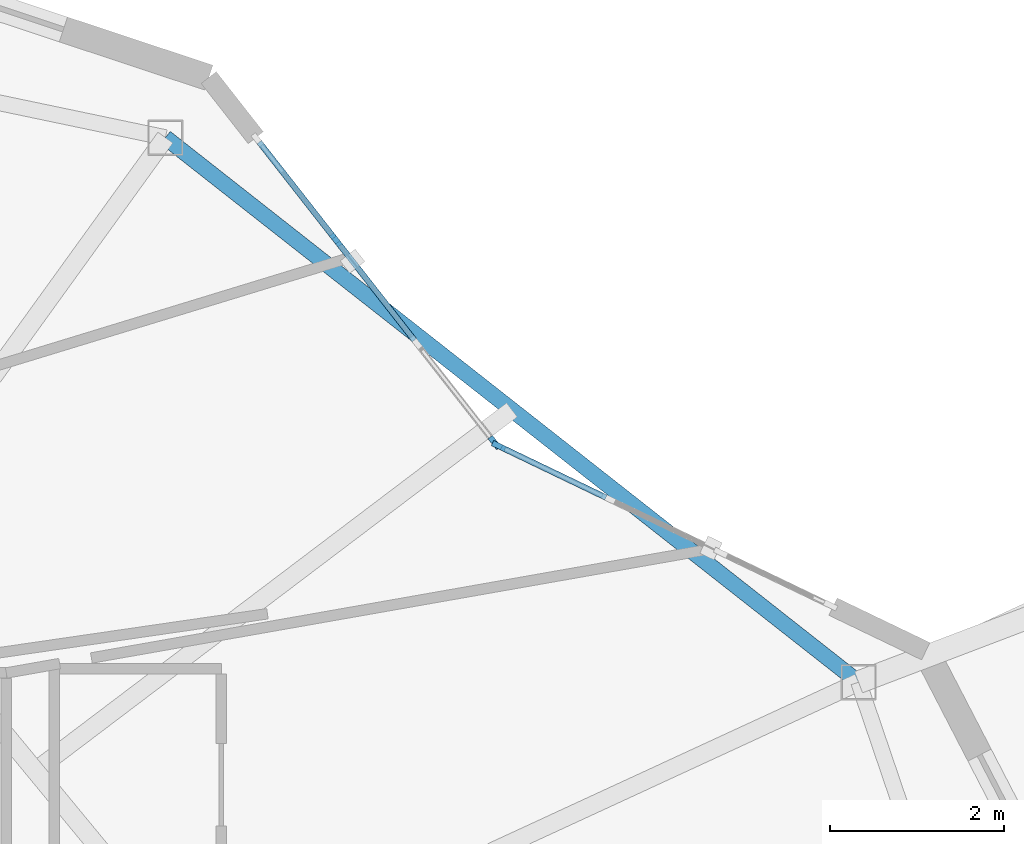
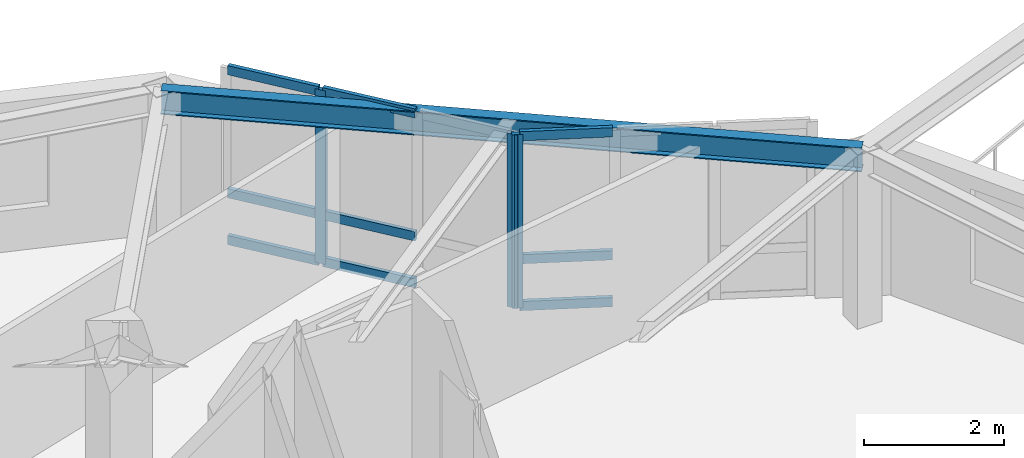
# One storey, part 5 of 14: 12 members, 1 beam, 2 elements without a shape of their own.
"""IFC4 building model written with IfcOpenShell, lengths in metres."""

import ifcopenshell
import ifcopenshell.guid

model = None  # the IFC model being written
_history = None  # IfcOwnerHistory: only IFC2X3 demands one
_inside = {}  # id of a spatial element -> (the spatial element, [elements in it])
_under = {}  # id of a project, library or spatial element -> (it, [spatial elements below it])
_declared = {}  # id of a project -> (the project, [libraries it declares])
_typed = {}  # id of a type object -> (the type object, [elements of that type])
_made_of = {}  # id of a material, layer set ... -> (it, [elements and type objects made of it])


def new_model(schema):
    """Start an empty IFC model of exactly this schema.

    Asked for "IFC4X3", IfcOpenShell would pick the latest addendum, in which some entities
    have other attributes; the version numbers below select the first issue.
    IFC2X3 requires an IfcOwnerHistory on every rooted entity: one is made here for all.
    """
    global model, _history
    if schema == "IFC4X3":
        model = ifcopenshell.file(schema_version=(4, 3, 0, 0))
    else:
        model = ifcopenshell.file(schema=schema)
    _inside.clear()
    _under.clear()
    _declared.clear()
    _typed.clear()
    _made_of.clear()
    _history = None
    if model.schema == "IFC2X3":
        org = make("IfcOrganization", Name="unknown")
        user = make(
            "IfcPersonAndOrganization",
            ThePerson=make("IfcPerson", FamilyName="unknown"),
            TheOrganization=org,
        )
        app = make(
            "IfcApplication",
            ApplicationDeveloper=org,
            Version="unknown",
            ApplicationFullName="unknown",
            ApplicationIdentifier="unknown",
        )
        _history = make(
            "IfcOwnerHistory",
            OwningUser=user,
            OwningApplication=app,
            ChangeAction="ADDED",
            CreationDate=0,
        )
    return model


def make(cls, **values):
    """One entity of the class cls with the attributes given. An attribute that is None is left unset."""
    return model.create_entity(
        cls, **{name: value for name, value in values.items() if value is not None}
    )


def rooted(cls, **values):
    """An entity with a GlobalId (a new one), such as an element, a storey or a relation."""
    return make(cls, GlobalId=ifcopenshell.guid.new(), OwnerHistory=_history, **values)


def si_unit(unit_type, name, prefix=None):
    """IfcSIUnit, for example si_unit("LENGTHUNIT", "METRE", prefix="MILLI")."""
    return make("IfcSIUnit", UnitType=unit_type, Prefix=prefix, Name=name)


def assignment(units):
    """IfcUnitAssignment: the units of a project."""
    return None if units is None else make("IfcUnitAssignment", Units=units)


def point(xyz):
    """IfcCartesianPoint."""
    return None if xyz is None else make("IfcCartesianPoint", Coordinates=xyz)


def direction(xyz):
    """IfcDirection."""
    return None if xyz is None else make("IfcDirection", DirectionRatios=xyz)


def frame(location, z_axis=None, x_axis=None):
    """IfcAxis2Placement3D, a coordinate frame: its origin and axes. An axis left out is left unset."""
    return make(
        "IfcAxis2Placement3D",
        Location=point(location),
        Axis=direction(z_axis),
        RefDirection=direction(x_axis),
    )


def frame_2d(location, x_axis=None):
    """IfcAxis2Placement2D, a coordinate frame in the plane: its origin and x axis."""
    return make(
        "IfcAxis2Placement2D", Location=point(location), RefDirection=direction(x_axis)
    )


def origin():
    """The frame at (0, 0, 0) with its axes left unset."""
    return frame((0.0, 0.0, 0.0))


def origin_2d():
    """The frame at (0, 0) in the plane with its x axis left unset."""
    return frame_2d((0.0, 0.0))


def place(relative_to, where):
    """IfcLocalPlacement: puts the frame where relative to a parent placement (None: the world)."""
    return make(
        "IfcLocalPlacement", PlacementRelTo=relative_to, RelativePlacement=where
    )


def context(
    kind, dimensions, precision=None, world=None, true_north=None, identifier=None
):
    """IfcGeometricRepresentationContext, for example the 3D "Model" context."""
    return make(
        "IfcGeometricRepresentationContext",
        ContextIdentifier=identifier,
        ContextType=kind,
        CoordinateSpaceDimension=dimensions,
        Precision=precision,
        WorldCoordinateSystem=world,
        TrueNorth=true_north,
    )


def subcontext(parent, identifier, kind, view, scale=None):
    """IfcGeometricRepresentationSubContext, for example "Body" below "Model"."""
    return make(
        "IfcGeometricRepresentationSubContext",
        ContextIdentifier=identifier,
        ContextType=kind,
        ParentContext=parent,
        TargetScale=scale,
        TargetView=view,
    )


def project(units=None, contexts=None):
    """IfcProject with its units and contexts."""
    return rooted(
        "IfcProject",
        Name="project",
        RepresentationContexts=contexts,
        UnitsInContext=assignment(units),
    )


def spatial(cls, under=None, at=None, **own):
    """A site, building, storey or space (cls), placed at a placement, below another one or the project."""
    s = rooted(cls, ObjectPlacement=at, **own)
    if under is not None:
        _under.setdefault(under.id(), (under, []))[1].append(s)
    return s


def profile(cls, at=None, kind="AREA", **sizes):
    """A parametric profile (cls). Its sizes go by their IFC names, for example OverallWidth=200.0."""
    return make(cls, ProfileType=kind, Position=at, **sizes)


def rectangle(**sizes):
    """IfcRectangleProfileDef."""
    return profile("IfcRectangleProfileDef", **sizes)


def i_section(**sizes):
    """IfcIShapeProfileDef."""
    return profile("IfcIShapeProfileDef", **sizes)


def extrude(swept, where, along, depth):
    """IfcExtrudedAreaSolid: the profile swept, set in the frame where, extruded along a direction by depth."""
    return make(
        "IfcExtrudedAreaSolid",
        SweptArea=swept,
        Position=where,
        ExtrudedDirection=direction(along),
        Depth=depth,
    )


def shape(context_of_items, identifier, shape_type, items):
    """IfcShapeRepresentation: the items that make up one representation, for example the "Body"."""
    return make(
        "IfcShapeRepresentation",
        ContextOfItems=context_of_items,
        RepresentationIdentifier=identifier,
        RepresentationType=shape_type,
        Items=items,
    )


def material(Name=None, Category=None):
    """IfcMaterial."""
    return make("IfcMaterial", Name=Name, Category=Category)


def layer(
    of_material, thickness, ventilated=None, Name=None, Category=None, Priority=None
):
    """IfcMaterialLayer: one layer of a wall or slab, of a material (None: an air gap)."""
    return make(
        "IfcMaterialLayer",
        Material=of_material,
        LayerThickness=thickness,
        IsVentilated=ventilated,
        Name=Name,
        Category=Category,
        Priority=Priority,
    )


def layer_set(layers, Name=None):
    """IfcMaterialLayerSet."""
    return make("IfcMaterialLayerSet", MaterialLayers=layers, LayerSetName=Name)


def material_profile(
    of_material, cross_section, Name=None, Category=None, Priority=None
):
    """IfcMaterialProfile: a cross section and its material."""
    return make(
        "IfcMaterialProfile",
        Name=Name,
        Material=of_material,
        Profile=cross_section,
        Priority=Priority,
        Category=Category,
    )


def profile_set(profiles, Name=None, composite=None):
    """IfcMaterialProfileSet."""
    return make(
        "IfcMaterialProfileSet",
        Name=Name,
        MaterialProfiles=profiles,
        CompositeProfile=composite,
    )


def made_of(thing, what):
    """Note that an element or type object is made of a material, layer set ...; save() writes the relation."""
    if what is not None:
        _made_of.setdefault(what.id(), (what, []))[1].append(thing)
    return thing


def type_object(cls, material=None, **own):
    """A type object (cls), such as IfcWallType, which elements share."""
    return made_of(rooted(cls, **own), material)


def element(
    cls,
    number,
    at=None,
    inside=None,
    cuts=None,
    type_object=None,
    material=None,
    context=None,
    identifier="Body",
    shape_type=None,
    held_by="IfcProductDefinitionShape",
    body=None,
    shapes=None,
    **own,
):
    """One element of the class cls, such as IfcWall. Its Tag is "e" and its number.

    at: its placement. inside: the storey or other place that contains it. cuts: it is an
    opening in that element (IfcRelVoidsElement). A single representation is given by context,
    identifier, shape_type and body (its items); several are given by shapes. held_by: the class
    of the entity that holds the representations. save() writes the other relations.
    """
    e = rooted(cls, Tag="e%d" % number, ObjectPlacement=at, **own)
    if body is not None:
        shapes = [shape(context, identifier, shape_type, body)]
    if shapes is not None:
        e.Representation = make(held_by, Representations=shapes)
    if inside is not None:
        _inside.setdefault(inside.id(), (inside, []))[1].append(e)
    if cuts is not None:
        rooted(
            "IfcRelVoidsElement", RelatingBuildingElement=cuts, RelatedOpeningElement=e
        )
    if type_object is not None:
        _typed.setdefault(type_object.id(), (type_object, []))[1].append(e)
    return made_of(e, material)


def aggregate(whole, parts):
    """IfcRelAggregates: a whole, such as a stair, and the parts it consists of."""
    return rooted("IfcRelAggregates", RelatingObject=whole, RelatedObjects=parts)


def save(model, path):
    """Write the relations noted so far, then the file.

    IfcRelAggregates (storeys below a building ...), IfcRelContainedInSpatialStructure (elements
    in a storey), IfcRelDefinesByType, IfcRelAssociatesMaterial and IfcRelDeclares: one each for
    every whole, place, type object, material and project.
    """
    for whole, parts in _under.values():
        aggregate(whole, parts)
    for where, things in _inside.values():
        rooted(
            "IfcRelContainedInSpatialStructure",
            RelatedElements=things,
            RelatingStructure=where,
        )
    for kind, things in _typed.values():
        rooted("IfcRelDefinesByType", RelatedObjects=things, RelatingType=kind)
    for what, things in _made_of.values():
        rooted("IfcRelAssociatesMaterial", RelatedObjects=things, RelatingMaterial=what)
    for by, libraries in _declared.values():
        rooted("IfcRelDeclares", RelatingContext=by, RelatedDefinitions=libraries)
    model.write(path)


model = new_model("IFC4")

# Units and contexts
model_context = context("Model", 3, precision=1e-05, world=origin(), true_north=direction((0.0, 1.0)))
body_context = subcontext(model_context, "Body", "Model", "MODEL_VIEW")
ifc_project = project(units=[si_unit("LENGTHUNIT", "METRE"), si_unit("AREAUNIT", "SQUARE_METRE"), si_unit("VOLUMEUNIT", "CUBIC_METRE"), si_unit("PLANEANGLEUNIT", "RADIAN"), si_unit("MASSUNIT", "GRAM", prefix="KILO")], contexts=[model_context])

# Site, building, storey
site_placement = place(None, origin())
site = spatial("IfcSite", under=ifc_project, at=site_placement, CompositionType="ELEMENT")
building_placement = place(site_placement, origin())
building = spatial("IfcBuilding", under=site, at=building_placement, Name="Kolvaren Gate Tower and Convention Centre", CompositionType="ELEMENT")
storey_placement = place(building_placement, frame((0.0, 0.0, 239.300048828125)))
storey = spatial("IfcBuildingStorey", under=building, at=storey_placement, Name="L64", CompositionType="ELEMENT", Elevation=239.300048828125)

# Curtain wall, member
ifc_material_1 = material(Name="Anodized Architectural Aluminium Alloy 6063-T6", Category="aluminium")
ifc_layer = layer(ifc_material_1, 0.159912109375)
ifc_layer_set = layer_set([ifc_layer], Name="Anodized Architectural Aluminium Alloy 6063-T6")
curtain_wall_type = type_object("IfcCurtainWallType", Name="CW-RES-UNIT", PredefinedType="NOTDEFINED", material=ifc_layer_set)
curtain_wall_1_placement = place(storey_placement, origin())
curtain_wall_1 = element("IfcCurtainWall", 1, at=curtain_wall_1_placement, inside=storey, type_object=curtain_wall_type, Name="Tower L64 Unitised Curtain Wall CW-RES-UNIT Bay 02", PredefinedType="NOTDEFINED")
ifc_material_profile_1 = material_profile(ifc_material_1, rectangle(XDim=0.06494140625, YDim=0.159912109375, at=origin_2d()), Name="CW-MEM-MUL-160")
ifc_profile_set_1 = profile_set([ifc_material_profile_1], Name="Anodized Architectural Aluminium Alloy 6063-T6")
member_type_1 = type_object("IfcMemberType", Name="CW-MEM-MUL-160", PredefinedType="MULLION", material=ifc_profile_set_1)
member_1_placement = place(storey_placement, frame((44.70654296875, 38.356201171875, 0.0), z_axis=(0.0, 0.0, 1.0), x_axis=(0.4330855213, 0.901352833934, 0.0)))
member_1 = element("IfcMember", 2, at=member_1_placement, type_object=member_type_1, Name="CW-04 mullion 1", PredefinedType="MULLION", context=body_context, shape_type="SweptSolid", body=[
    extrude(rectangle(XDim=0.06494140625, YDim=0.159912109375, at=origin_2d()), origin(), (0.0, 0.0, 1.0), 3.030029296875),
])

# Curtain wall, members
curtain_wall_2_placement = place(storey_placement, origin())
curtain_wall_2 = element("IfcCurtainWall", 3, at=curtain_wall_2_placement, inside=storey, type_object=curtain_wall_type, Name="Tower L64 Unitised Curtain Wall CW-RES-UNIT Bay 03", PredefinedType="NOTDEFINED")
member_2_placement = place(storey_placement, frame((42.835693359375, 40.72265625, 0.0), z_axis=(0.0, 0.0, 1.0), x_axis=(0.787402801606, 0.616438827479, 0.0)))
member_2 = element("IfcMember", 4, at=member_2_placement, type_object=member_type_1, Name="CW-04 mullion 2", PredefinedType="MULLION", context=body_context, shape_type="SweptSolid", body=[
    extrude(rectangle(XDim=0.06494140625, YDim=0.159912109375, at=origin_2d()), origin(), (0.0, 0.0, 1.0), 3.030029296875),
])
member_3_placement = place(storey_placement, frame((44.6572265625, 38.39599609375, 0.0), z_axis=(0.0, 0.0, 1.0), x_axis=(0.787402801606, 0.616438827479, 0.0)))
member_3 = element("IfcMember", 5, at=member_3_placement, type_object=member_type_1, Name="CW-04 mullion 4", PredefinedType="MULLION", context=body_context, shape_type="SweptSolid", body=[
    extrude(rectangle(XDim=0.06494140625, YDim=0.159912109375, at=origin_2d()), origin(), (0.0, 0.0, 1.0), 3.030029296875),
])

# Member
ifc_material_profile_2 = material_profile(ifc_material_1, rectangle(XDim=0.06494140625, YDim=0.159912109375, at=origin_2d()), Name="CW-MEM-TRN-160")
ifc_profile_set_2 = profile_set([ifc_material_profile_2], Name="Anodized Architectural Aluminium Alloy 6063-T6")
member_type_2 = type_object("IfcMemberType", Name="CW-MEM-TRN-160", PredefinedType="USERDEFINED", material=ifc_profile_set_2)
member_4_placement = place(storey_placement, frame((44.73583984375, 38.342041015625, 0.032470703125), z_axis=(0.901420149121, -0.432945394661, 0.0), x_axis=(0.432945394661, 0.901420149121, 0.0)))
member_4 = element("IfcMember", 6, at=member_4_placement, type_object=member_type_2, Name="CW-04 transom 1.1", ObjectType="TRANSOM", PredefinedType="USERDEFINED", context=body_context, shape_type="SweptSolid", body=[
    extrude(rectangle(XDim=0.06494140625, YDim=0.159912109375, at=origin_2d()), origin(), (0.0, 0.0, 1.0), 1.3330078125),
])

member_5_placement = place(storey_placement, frame((44.73583984375, 38.342041015625, 0.849853515625), z_axis=(0.901420149121, -0.432945394661, 0.0), x_axis=(0.432945394661, 0.901420149121, 0.0)))
member_5 = element("IfcMember", 7, at=member_5_placement, type_object=member_type_2, Name="CW-04 transom 1.2", ObjectType="TRANSOM", PredefinedType="USERDEFINED", context=body_context, shape_type="SweptSolid", body=[
    extrude(rectangle(XDim=0.06494140625, YDim=0.159912109375, at=origin_2d()), origin(), (0.0, 0.0, 1.0), 1.3330078125),
])

member_6_placement = place(storey_placement, frame((44.73583984375, 38.342041015625, 2.99755859375), z_axis=(0.901420149121, -0.432945394661, 0.0), x_axis=(0.432945394661, 0.901420149121, 0.0)))
member_6 = element("IfcMember", 8, at=member_6_placement, type_object=member_type_2, Name="CW-04 transom 1.3", ObjectType="TRANSOM", PredefinedType="USERDEFINED", context=body_context, shape_type="SweptSolid", body=[
    extrude(rectangle(XDim=0.06494140625, YDim=0.159912109375, at=origin_2d()), origin(), (0.0, 0.0, 1.0), 1.3330078125),
])

aggregate(curtain_wall_1, [member_1, member_4, member_5, member_6])

member_7_placement = place(storey_placement, frame((41.955078125, 41.847412109375, 0.032470703125), z_axis=(0.616407273095, -0.787427503758, 0.0), x_axis=(0.787427503758, 0.616407273095, 0.0)))
member_7 = element("IfcMember", 9, at=member_7_placement, type_object=member_type_2, Name="CW-04 transom 1.1", ObjectType="TRANSOM", PredefinedType="USERDEFINED", context=body_context, shape_type="SweptSolid", body=[
    extrude(rectangle(XDim=0.06494140625, YDim=0.159912109375, at=origin_2d()), origin(), (0.0, 0.0, 1.0), 1.396240234375),
])

member_8_placement = place(storey_placement, frame((41.955078125, 41.847412109375, 0.849853515625), z_axis=(0.616407273095, -0.787427503758, 0.0), x_axis=(0.787427503758, 0.616407273095, 0.0)))
member_8 = element("IfcMember", 10, at=member_8_placement, type_object=member_type_2, Name="CW-04 transom 1.2", ObjectType="TRANSOM", PredefinedType="USERDEFINED", context=body_context, shape_type="SweptSolid", body=[
    extrude(rectangle(XDim=0.06494140625, YDim=0.159912109375, at=origin_2d()), origin(), (0.0, 0.0, 1.0), 1.396240234375),
])

member_9_placement = place(storey_placement, frame((41.955078125, 41.847412109375, 2.99755859375), z_axis=(0.616407273095, -0.787427503758, 0.0), x_axis=(0.787427503758, 0.616407273095, 0.0)))
member_9 = element("IfcMember", 11, at=member_9_placement, type_object=member_type_2, Name="CW-04 transom 1.3", ObjectType="TRANSOM", PredefinedType="USERDEFINED", context=body_context, shape_type="SweptSolid", body=[
    extrude(rectangle(XDim=0.06494140625, YDim=0.159912109375, at=origin_2d()), origin(), (0.0, 0.0, 1.0), 1.396240234375),
])

member_10_placement = place(storey_placement, frame((42.855712890625, 40.697021484375, 0.032470703125), z_axis=(0.616492534069, -0.787360753046, 0.0), x_axis=(0.787360753046, 0.616492534069, 0.0)))
member_10 = element("IfcMember", 12, at=member_10_placement, type_object=member_type_2, Name="CW-04 transom 2.1", ObjectType="TRANSOM", PredefinedType="USERDEFINED", context=body_context, shape_type="SweptSolid", body=[
    extrude(rectangle(XDim=0.06494140625, YDim=0.159912109375, at=origin_2d()), origin(), (0.0, 0.0, 1.0), 1.4287109375),
])

member_11_placement = place(storey_placement, frame((42.855712890625, 40.697021484375, 0.849853515625), z_axis=(0.616492534069, -0.787360753046, 0.0), x_axis=(0.787360753046, 0.616492534069, 0.0)))
member_11 = element("IfcMember", 13, at=member_11_placement, type_object=member_type_2, Name="CW-04 transom 2.2", ObjectType="TRANSOM", PredefinedType="USERDEFINED", context=body_context, shape_type="SweptSolid", body=[
    extrude(rectangle(XDim=0.06494140625, YDim=0.159912109375, at=origin_2d()), origin(), (0.0, 0.0, 1.0), 1.4287109375),
])

member_12_placement = place(storey_placement, frame((42.855712890625, 40.697021484375, 2.99755859375), z_axis=(0.616492534069, -0.787360753046, 0.0), x_axis=(0.787360753046, 0.616492534069, 0.0)))
member_12 = element("IfcMember", 14, at=member_12_placement, type_object=member_type_2, Name="CW-04 transom 2.3", ObjectType="TRANSOM", PredefinedType="USERDEFINED", context=body_context, shape_type="SweptSolid", body=[
    extrude(rectangle(XDim=0.06494140625, YDim=0.159912109375, at=origin_2d()), origin(), (0.0, 0.0, 1.0), 1.4287109375),
])

aggregate(curtain_wall_2, [member_2, member_3, member_7, member_8, member_9, member_10, member_11, member_12])

# Beam
ifc_material_2 = material(Name="Structural steel ASTM A992 Grade 345 MPa", Category="steel")
ifc_material_profile_3 = material_profile(ifc_material_2, i_section(OverallWidth=0.180908203125, OverallDepth=0.4169921875, WebThickness=0.010986328125, FlangeThickness=0.018310546875, at=origin_2d()), Name="W410X85")
ifc_profile_set_3 = profile_set([ifc_material_profile_3], Name="Structural steel ASTM A992 Grade 345 MPa")
beam_type = type_object("IfcBeamType", Name="STR-SP-W410X85", PredefinedType="SPANDREL", material=ifc_profile_set_3)
beam_placement = place(storey_placement, frame((48.8388671875, 35.6435546875, 2.821533203125), z_axis=(-0.786299093723, 0.61784604491, 0.0), x_axis=(-0.61784604491, -0.786299093723, 0.0)))
element("IfcBeam", 15, at=beam_placement, inside=storey, type_object=beam_type, Name="Tower L64 Perimeter Spandrel Beam SP-02", PredefinedType="SPANDREL", context=body_context, shape_type="SweptSolid", body=[
    extrude(i_section(OverallWidth=0.180908203125, OverallDepth=0.4169921875, WebThickness=0.010986328125, FlangeThickness=0.018310546875, at=origin_2d()), origin(), (0.0, 0.0, 1.0), 10.124755859375),
])

save(model, "model.ifc")
